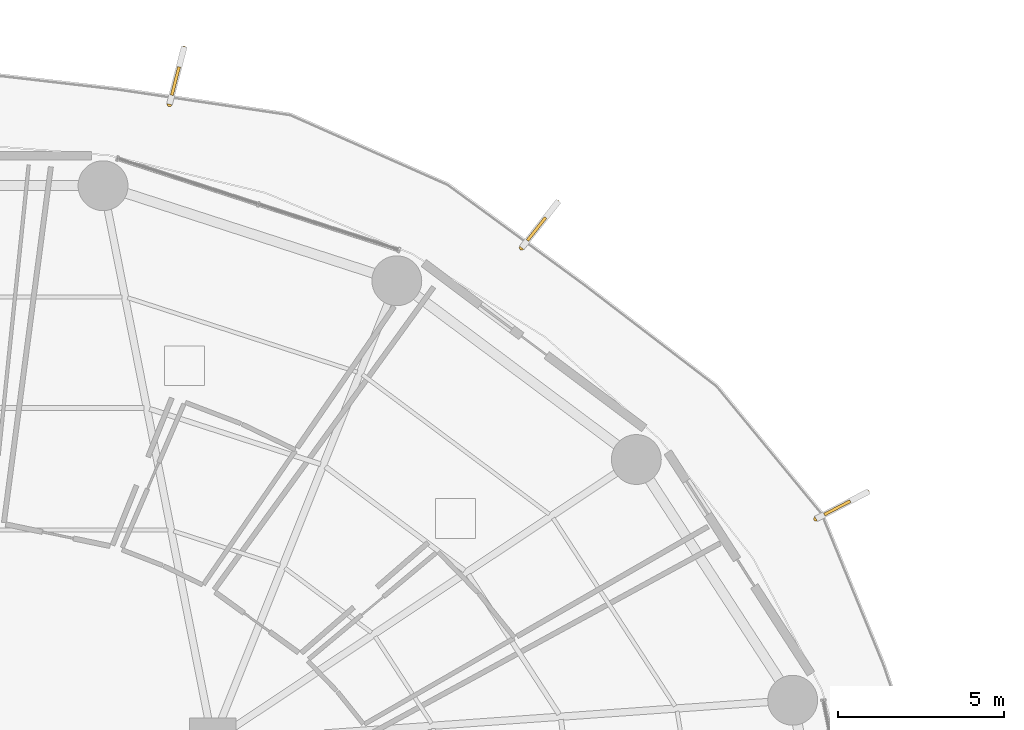
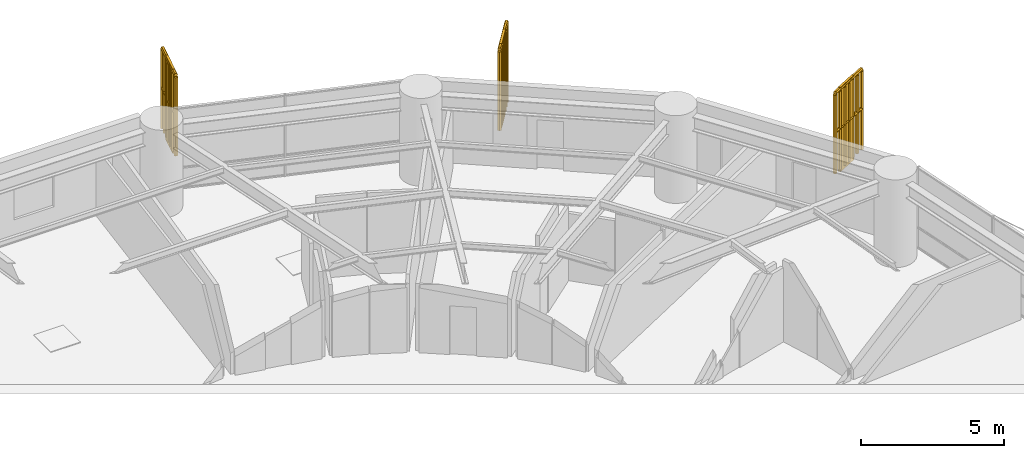
# One storey, part 32 of 32: 3 railings, 3 shading devices.
"""IFC4 building model written with IfcOpenShell, lengths in metres."""

import ifcopenshell
import ifcopenshell.guid

model = None  # the IFC model being written
_history = None  # IfcOwnerHistory: only IFC2X3 demands one
_inside = {}  # id of a spatial element -> (the spatial element, [elements in it])
_under = {}  # id of a project, library or spatial element -> (it, [spatial elements below it])
_declared = {}  # id of a project -> (the project, [libraries it declares])
_typed = {}  # id of a type object -> (the type object, [elements of that type])
_made_of = {}  # id of a material, layer set ... -> (it, [elements and type objects made of it])


def new_model(schema):
    """Start an empty IFC model of exactly this schema.

    Asked for "IFC4X3", IfcOpenShell would pick the latest addendum, in which some entities
    have other attributes; the version numbers below select the first issue.
    IFC2X3 requires an IfcOwnerHistory on every rooted entity: one is made here for all.
    """
    global model, _history
    if schema == "IFC4X3":
        model = ifcopenshell.file(schema_version=(4, 3, 0, 0))
    else:
        model = ifcopenshell.file(schema=schema)
    _inside.clear()
    _under.clear()
    _declared.clear()
    _typed.clear()
    _made_of.clear()
    _history = None
    if model.schema == "IFC2X3":
        org = make("IfcOrganization", Name="unknown")
        user = make(
            "IfcPersonAndOrganization",
            ThePerson=make("IfcPerson", FamilyName="unknown"),
            TheOrganization=org,
        )
        app = make(
            "IfcApplication",
            ApplicationDeveloper=org,
            Version="unknown",
            ApplicationFullName="unknown",
            ApplicationIdentifier="unknown",
        )
        _history = make(
            "IfcOwnerHistory",
            OwningUser=user,
            OwningApplication=app,
            ChangeAction="ADDED",
            CreationDate=0,
        )
    return model


def make(cls, **values):
    """One entity of the class cls with the attributes given. An attribute that is None is left unset."""
    return model.create_entity(
        cls, **{name: value for name, value in values.items() if value is not None}
    )


def rooted(cls, **values):
    """An entity with a GlobalId (a new one), such as an element, a storey or a relation."""
    return make(cls, GlobalId=ifcopenshell.guid.new(), OwnerHistory=_history, **values)


def si_unit(unit_type, name, prefix=None):
    """IfcSIUnit, for example si_unit("LENGTHUNIT", "METRE", prefix="MILLI")."""
    return make("IfcSIUnit", UnitType=unit_type, Prefix=prefix, Name=name)


def assignment(units):
    """IfcUnitAssignment: the units of a project."""
    return None if units is None else make("IfcUnitAssignment", Units=units)


def point(xyz):
    """IfcCartesianPoint."""
    return None if xyz is None else make("IfcCartesianPoint", Coordinates=xyz)


def direction(xyz):
    """IfcDirection."""
    return None if xyz is None else make("IfcDirection", DirectionRatios=xyz)


def frame(location, z_axis=None, x_axis=None):
    """IfcAxis2Placement3D, a coordinate frame: its origin and axes. An axis left out is left unset."""
    return make(
        "IfcAxis2Placement3D",
        Location=point(location),
        Axis=direction(z_axis),
        RefDirection=direction(x_axis),
    )


def frame_2d(location, x_axis=None):
    """IfcAxis2Placement2D, a coordinate frame in the plane: its origin and x axis."""
    return make(
        "IfcAxis2Placement2D", Location=point(location), RefDirection=direction(x_axis)
    )


def origin():
    """The frame at (0, 0, 0) with its axes left unset."""
    return frame((0.0, 0.0, 0.0))


def origin_2d():
    """The frame at (0, 0) in the plane with its x axis left unset."""
    return frame_2d((0.0, 0.0))


def place(relative_to, where):
    """IfcLocalPlacement: puts the frame where relative to a parent placement (None: the world)."""
    return make(
        "IfcLocalPlacement", PlacementRelTo=relative_to, RelativePlacement=where
    )


def context(
    kind, dimensions, precision=None, world=None, true_north=None, identifier=None
):
    """IfcGeometricRepresentationContext, for example the 3D "Model" context."""
    return make(
        "IfcGeometricRepresentationContext",
        ContextIdentifier=identifier,
        ContextType=kind,
        CoordinateSpaceDimension=dimensions,
        Precision=precision,
        WorldCoordinateSystem=world,
        TrueNorth=true_north,
    )


def subcontext(parent, identifier, kind, view, scale=None):
    """IfcGeometricRepresentationSubContext, for example "Body" below "Model"."""
    return make(
        "IfcGeometricRepresentationSubContext",
        ContextIdentifier=identifier,
        ContextType=kind,
        ParentContext=parent,
        TargetScale=scale,
        TargetView=view,
    )


def project(units=None, contexts=None):
    """IfcProject with its units and contexts."""
    return rooted(
        "IfcProject",
        Name="project",
        RepresentationContexts=contexts,
        UnitsInContext=assignment(units),
    )


def spatial(cls, under=None, at=None, **own):
    """A site, building, storey or space (cls), placed at a placement, below another one or the project."""
    s = rooted(cls, ObjectPlacement=at, **own)
    if under is not None:
        _under.setdefault(under.id(), (under, []))[1].append(s)
    return s


def polyline(points):
    """IfcPolyline through the points."""
    return make("IfcPolyline", Points=[point(p) for p in points])


def profile(cls, at=None, kind="AREA", **sizes):
    """A parametric profile (cls). Its sizes go by their IFC names, for example OverallWidth=200.0."""
    return make(cls, ProfileType=kind, Position=at, **sizes)


def rectangle(**sizes):
    """IfcRectangleProfileDef."""
    return profile("IfcRectangleProfileDef", **sizes)


def outline(outer, holes=None, kind="AREA"):
    """IfcArbitraryClosedProfileDef: a profile drawn as a closed curve; with holes, ...WithVoids."""
    if holes is None:
        return make("IfcArbitraryClosedProfileDef", ProfileType=kind, OuterCurve=outer)
    return make(
        "IfcArbitraryProfileDefWithVoids",
        ProfileType=kind,
        OuterCurve=outer,
        InnerCurves=holes,
    )


def extrude(swept, where, along, depth):
    """IfcExtrudedAreaSolid: the profile swept, set in the frame where, extruded along a direction by depth."""
    return make(
        "IfcExtrudedAreaSolid",
        SweptArea=swept,
        Position=where,
        ExtrudedDirection=direction(along),
        Depth=depth,
    )


def shape(context_of_items, identifier, shape_type, items):
    """IfcShapeRepresentation: the items that make up one representation, for example the "Body"."""
    return make(
        "IfcShapeRepresentation",
        ContextOfItems=context_of_items,
        RepresentationIdentifier=identifier,
        RepresentationType=shape_type,
        Items=items,
    )


def source(mapping_origin, context_of_items, identifier, shape_type, items):
    """IfcRepresentationMap: a shape defined once, which mapped items show again and again."""
    return make(
        "IfcRepresentationMap",
        MappingOrigin=mapping_origin,
        MappedRepresentation=shape(context_of_items, identifier, shape_type, items),
    )


def transform(
    local_origin,
    x_axis=None,
    y_axis=None,
    z_axis=None,
    scale=None,
    scale2=None,
    scale3=None,
    uniform=True,
):
    """IfcCartesianTransformationOperator3D, or its non-uniform kind. x_axis, y_axis, z_axis: its Axis1, 2, 3."""
    if uniform:
        return make(
            "IfcCartesianTransformationOperator3D",
            Axis1=direction(x_axis),
            Axis2=direction(y_axis),
            LocalOrigin=point(local_origin),
            Scale=scale,
            Axis3=direction(z_axis),
        )
    return make(
        "IfcCartesianTransformationOperator3DnonUniform",
        Axis1=direction(x_axis),
        Axis2=direction(y_axis),
        LocalOrigin=point(local_origin),
        Scale=scale,
        Axis3=direction(z_axis),
        Scale2=scale2,
        Scale3=scale3,
    )


def mapped(mapping_source, mapping_target):
    """IfcMappedItem: shows the shape of a source again, moved by a transform."""
    return make(
        "IfcMappedItem", MappingSource=mapping_source, MappingTarget=mapping_target
    )


def material(Name=None, Category=None):
    """IfcMaterial."""
    return make("IfcMaterial", Name=Name, Category=Category)


def made_of(thing, what):
    """Note that an element or type object is made of a material, layer set ...; save() writes the relation."""
    if what is not None:
        _made_of.setdefault(what.id(), (what, []))[1].append(thing)
    return thing


def type_object(cls, material=None, **own):
    """A type object (cls), such as IfcWallType, which elements share."""
    return made_of(rooted(cls, **own), material)


def element(
    cls,
    number,
    at=None,
    inside=None,
    cuts=None,
    type_object=None,
    material=None,
    context=None,
    identifier="Body",
    shape_type=None,
    held_by="IfcProductDefinitionShape",
    body=None,
    shapes=None,
    **own,
):
    """One element of the class cls, such as IfcWall. Its Tag is "e" and its number.

    at: its placement. inside: the storey or other place that contains it. cuts: it is an
    opening in that element (IfcRelVoidsElement). A single representation is given by context,
    identifier, shape_type and body (its items); several are given by shapes. held_by: the class
    of the entity that holds the representations. save() writes the other relations.
    """
    e = rooted(cls, Tag="e%d" % number, ObjectPlacement=at, **own)
    if body is not None:
        shapes = [shape(context, identifier, shape_type, body)]
    if shapes is not None:
        e.Representation = make(held_by, Representations=shapes)
    if inside is not None:
        _inside.setdefault(inside.id(), (inside, []))[1].append(e)
    if cuts is not None:
        rooted(
            "IfcRelVoidsElement", RelatingBuildingElement=cuts, RelatedOpeningElement=e
        )
    if type_object is not None:
        _typed.setdefault(type_object.id(), (type_object, []))[1].append(e)
    return made_of(e, material)


def aggregate(whole, parts):
    """IfcRelAggregates: a whole, such as a stair, and the parts it consists of."""
    return rooted("IfcRelAggregates", RelatingObject=whole, RelatedObjects=parts)


def save(model, path):
    """Write the relations noted so far, then the file.

    IfcRelAggregates (storeys below a building ...), IfcRelContainedInSpatialStructure (elements
    in a storey), IfcRelDefinesByType, IfcRelAssociatesMaterial and IfcRelDeclares: one each for
    every whole, place, type object, material and project.
    """
    for whole, parts in _under.values():
        aggregate(whole, parts)
    for where, things in _inside.values():
        rooted(
            "IfcRelContainedInSpatialStructure",
            RelatedElements=things,
            RelatingStructure=where,
        )
    for kind, things in _typed.values():
        rooted("IfcRelDefinesByType", RelatedObjects=things, RelatingType=kind)
    for what, things in _made_of.values():
        rooted("IfcRelAssociatesMaterial", RelatedObjects=things, RelatingMaterial=what)
    for by, libraries in _declared.values():
        rooted("IfcRelDeclares", RelatingContext=by, RelatedDefinitions=libraries)
    model.write(path)


model = new_model("IFC4")

# Units and contexts
model_context = context("Model", 3, precision=1e-05, world=origin(), true_north=direction((0.0, 1.0)))
body_context = subcontext(model_context, "Body", "Model", "MODEL_VIEW")
ifc_project = project(units=[si_unit("LENGTHUNIT", "METRE"), si_unit("AREAUNIT", "SQUARE_METRE"), si_unit("VOLUMEUNIT", "CUBIC_METRE"), si_unit("PLANEANGLEUNIT", "RADIAN"), si_unit("MASSUNIT", "GRAM", prefix="KILO")], contexts=[model_context])

# Site, building, storey
site_placement = place(None, origin())
site = spatial("IfcSite", under=ifc_project, at=site_placement, CompositionType="ELEMENT")
building_placement = place(site_placement, origin())
building = spatial("IfcBuilding", under=site, at=building_placement, Name="Kelanora Arch Commons", CompositionType="ELEMENT")
storey_placement = place(building_placement, frame((0.0, 0.0, 52.5)))
storey = spatial("IfcBuildingStorey", under=building, at=storey_placement, Name="L13", CompositionType="ELEMENT", Elevation=52.5)

# Railings
ifc_material_1 = material(Name="Anodised bronze vertical shading fin rib assembly")
railing_type = type_object("IfcRailingType", Name="RAIL-FIN-BRZ", PredefinedType="BALUSTRADE", material=ifc_material_1)
railing_1_placement = place(storey_placement, frame((100.151611328125, 71.69091796875, -0.02001953125)))
element("IfcRailing", 1, at=railing_1_placement, inside=storey, type_object=railing_type, Name="Sweeping Bronze Vertical Fin Blade L13-00", PredefinedType="BALUSTRADE", context=body_context, shape_type="SweptSolid", body=[
    extrude(outline(polyline([(0.06982421875, 0.0), (0.034912109375, 0.060546875), (-0.034912109375, 0.060546875), (-0.06982421875, 0.0), (-0.034912109375, -0.060546875), (0.034912109375, -0.060546875), (0.06982421875, 0.0)])), frame((0.0, 0.0, 3.419921875), z_axis=(0.885917143084, 0.463843524899, 0.0), x_axis=(-0.463843524899, 0.885917143084, 0.0)), (0.0, 0.0, 1.0), 1.72998046875),
    extrude(outline(polyline([(0.06982421875, 0.0), (0.034912109375, 0.060546875), (-0.034912109375, 0.060546875), (-0.06982421875, 0.0), (-0.034912109375, -0.060546875), (0.034912109375, -0.060546875), (0.06982421875, 0.0)])), frame((0.0, 0.0, 1.7451171875), z_axis=(0.885917143084, 0.463843524899, 0.0), x_axis=(-0.463843524899, 0.885917143084, 0.0)), (0.0, 0.0, 1.0), 1.72998046875),
    extrude(outline(polyline([(0.080078125, 0.0), (0.0400390625, 0.0693359375), (-0.0400390625, 0.0693359375), (-0.080078125, 0.0), (-0.0400390625, -0.0693359375), (0.0400390625, -0.0693359375), (0.080078125, 0.0)])), origin(), (0.0, 0.0, 1.0), 3.35009765625),
    extrude(outline(polyline([(0.080078125, 0.0), (0.0400390625, 0.0693359375), (-0.0400390625, 0.0693359375), (-0.080078125, 0.0), (-0.0400390625, -0.0693359375), (0.0400390625, -0.0693359375), (0.080078125, 0.0)])), frame((0.25537109375, 0.1337890625, 0.0)), (0.0, 0.0, 1.0), 3.35009765625),
    extrude(outline(polyline([(0.080078125, 0.0), (0.0400390625, 0.0693359375), (-0.0400390625, 0.0693359375), (-0.080078125, 0.0), (-0.0400390625, -0.0693359375), (0.0400390625, -0.0693359375), (0.080078125, 0.0)])), frame((0.510986328125, 0.267578125, 0.0)), (0.0, 0.0, 1.0), 3.35009765625),
    extrude(outline(polyline([(0.080078125, 0.0), (0.0400390625, 0.0693359375), (-0.0400390625, 0.0693359375), (-0.080078125, 0.0), (-0.0400390625, -0.0693359375), (0.0400390625, -0.0693359375), (0.080078125, 0.0)])), frame((0.766357421875, 0.4013671875, 0.0)), (0.0, 0.0, 1.0), 3.35009765625),
    extrude(outline(polyline([(0.080078125, 0.0), (0.0400390625, 0.0693359375), (-0.0400390625, 0.0693359375), (-0.080078125, 0.0), (-0.0400390625, -0.0693359375), (0.0400390625, -0.0693359375), (0.080078125, 0.0)])), frame((1.021728515625, 0.534912109375, 0.0)), (0.0, 0.0, 1.0), 3.35009765625),
    extrude(outline(polyline([(0.080078125, 0.0), (0.0400390625, 0.0693359375), (-0.0400390625, 0.0693359375), (-0.080078125, 0.0), (-0.0400390625, -0.0693359375), (0.0400390625, -0.0693359375), (0.080078125, 0.0)])), frame((1.27734375, 0.668701171875, 0.0)), (0.0, 0.0, 1.0), 3.35009765625),
    extrude(outline(polyline([(0.080078125, 0.0), (0.0400390625, 0.0693359375), (-0.0400390625, 0.0693359375), (-0.080078125, 0.0), (-0.0400390625, -0.0693359375), (0.0400390625, -0.0693359375), (0.080078125, 0.0)])), frame((1.53271484375, 0.802490234375, 0.0)), (0.0, 0.0, 1.0), 3.35009765625),
])
railing_2_placement = place(storey_placement, frame((91.295654296875, 79.847412109375, -0.02001953125)))
element("IfcRailing", 2, at=railing_2_placement, inside=storey, type_object=railing_type, Name="Sweeping Bronze Vertical Fin Blade L13-01", PredefinedType="BALUSTRADE", context=body_context, shape_type="SweptSolid", body=[
    extrude(outline(polyline([(0.06982421875, 0.0), (0.034912109375, 0.060546875), (-0.034912109375, 0.060546875), (-0.06982421875, 0.0), (-0.034912109375, -0.060546875), (0.034912109375, -0.060546875), (0.06982421875, 0.0)])), frame((0.0, 0.0, 3.419921875), z_axis=(0.620659567253, 0.784080162724, 0.0), x_axis=(-0.784080162724, 0.620659567253, 0.0)), (0.0, 0.0, 1.0), 1.72998046875),
    extrude(outline(polyline([(0.06982421875, 0.0), (0.034912109375, 0.060546875), (-0.034912109375, 0.060546875), (-0.06982421875, 0.0), (-0.034912109375, -0.060546875), (0.034912109375, -0.060546875), (0.06982421875, 0.0)])), frame((0.0, 0.0, 1.7451171875), z_axis=(0.620659567253, 0.784080162724, 0.0), x_axis=(-0.784080162724, 0.620659567253, 0.0)), (0.0, 0.0, 1.0), 1.72998046875),
    extrude(outline(polyline([(0.080078125, 0.0), (0.0400390625, 0.0693359375), (-0.0400390625, 0.0693359375), (-0.080078125, 0.0), (-0.0400390625, -0.0693359375), (0.0400390625, -0.0693359375), (0.080078125, 0.0)])), origin(), (0.0, 0.0, 1.0), 3.35009765625),
    extrude(outline(polyline([(0.080078125, 0.0), (0.0400390625, 0.0693359375), (-0.0400390625, 0.0693359375), (-0.080078125, 0.0), (-0.0400390625, -0.0693359375), (0.0400390625, -0.0693359375), (0.080078125, 0.0)])), frame((0.178955078125, 0.22607421875, 0.0)), (0.0, 0.0, 1.0), 3.35009765625),
    extrude(outline(polyline([(0.080078125, 0.0), (0.0400390625, 0.0693359375), (-0.0400390625, 0.0693359375), (-0.080078125, 0.0), (-0.0400390625, -0.0693359375), (0.0400390625, -0.0693359375), (0.080078125, 0.0)])), frame((0.35791015625, 0.4521484375, 0.0)), (0.0, 0.0, 1.0), 3.35009765625),
    extrude(outline(polyline([(0.080078125, 0.0), (0.0400390625, 0.0693359375), (-0.0400390625, 0.0693359375), (-0.080078125, 0.0), (-0.0400390625, -0.0693359375), (0.0400390625, -0.0693359375), (0.080078125, 0.0)])), frame((0.536865234375, 0.67822265625, 0.0)), (0.0, 0.0, 1.0), 3.35009765625),
    extrude(outline(polyline([(0.080078125, 0.0), (0.0400390625, 0.0693359375), (-0.0400390625, 0.0693359375), (-0.080078125, 0.0), (-0.0400390625, -0.0693359375), (0.0400390625, -0.0693359375), (0.080078125, 0.0)])), frame((0.7158203125, 0.904296875, 0.0)), (0.0, 0.0, 1.0), 3.35009765625),
    extrude(outline(polyline([(0.080078125, 0.0), (0.0400390625, 0.0693359375), (-0.0400390625, 0.0693359375), (-0.080078125, 0.0), (-0.0400390625, -0.0693359375), (0.0400390625, -0.0693359375), (0.080078125, 0.0)])), frame((0.894775390625, 1.13037109375, 0.0)), (0.0, 0.0, 1.0), 3.35009765625),
    extrude(outline(polyline([(0.080078125, 0.0), (0.0400390625, 0.0693359375), (-0.0400390625, 0.0693359375), (-0.080078125, 0.0), (-0.0400390625, -0.0693359375), (0.0400390625, -0.0693359375), (0.080078125, 0.0)])), frame((1.07373046875, 1.3564453125, 0.0)), (0.0, 0.0, 1.0), 3.35009765625),
])
railing_3_placement = place(storey_placement, frame((80.701904296875, 84.165283203125, -0.02001953125)))
element("IfcRailing", 3, at=railing_3_placement, inside=storey, type_object=railing_type, Name="Sweeping Bronze Vertical Fin Blade L13-02", PredefinedType="BALUSTRADE", context=body_context, shape_type="SweptSolid", body=[
    extrude(outline(polyline([(0.06982421875, 0.0), (0.034912109375, 0.060546875), (-0.034912109375, 0.060546875), (-0.06982421875, 0.0), (-0.034912109375, -0.060546875), (0.034912109375, -0.060546875), (0.06982421875, 0.0)])), frame((0.0, 0.0, 3.419921875), z_axis=(0.248242926831, 0.968697811125, 0.0), x_axis=(-0.968697811125, 0.248242926831, 0.0)), (0.0, 0.0, 1.0), 1.72998046875),
    extrude(outline(polyline([(0.06982421875, 0.0), (0.034912109375, 0.060546875), (-0.034912109375, 0.060546875), (-0.06982421875, 0.0), (-0.034912109375, -0.060546875), (0.034912109375, -0.060546875), (0.06982421875, 0.0)])), frame((0.0, 0.0, 1.7451171875), z_axis=(0.248242926831, 0.968697811125, 0.0), x_axis=(-0.968697811125, 0.248242926831, 0.0)), (0.0, 0.0, 1.0), 1.72998046875),
    extrude(outline(polyline([(0.080078125, 0.0), (0.0400390625, 0.0693359375), (-0.0400390625, 0.0693359375), (-0.080078125, 0.0), (-0.0400390625, -0.0693359375), (0.0400390625, -0.0693359375), (0.080078125, 0.0)])), origin(), (0.0, 0.0, 1.0), 3.35009765625),
    extrude(outline(polyline([(0.080078125, 0.0), (0.0400390625, 0.0693359375), (-0.0400390625, 0.0693359375), (-0.080078125, 0.0), (-0.0400390625, -0.0693359375), (0.0400390625, -0.0693359375), (0.080078125, 0.0)])), frame((0.071533203125, 0.279296875, 0.0)), (0.0, 0.0, 1.0), 3.35009765625),
    extrude(outline(polyline([(0.080078125, 0.0), (0.0400390625, 0.0693359375), (-0.0400390625, 0.0693359375), (-0.080078125, 0.0), (-0.0400390625, -0.0693359375), (0.0400390625, -0.0693359375), (0.080078125, 0.0)])), frame((0.14306640625, 0.55859375, 0.0)), (0.0, 0.0, 1.0), 3.35009765625),
    extrude(outline(polyline([(0.080078125, 0.0), (0.0400390625, 0.0693359375), (-0.0400390625, 0.0693359375), (-0.080078125, 0.0), (-0.0400390625, -0.0693359375), (0.0400390625, -0.0693359375), (0.080078125, 0.0)])), frame((0.21484375, 0.837890625, 0.0)), (0.0, 0.0, 1.0), 3.35009765625),
    extrude(outline(polyline([(0.080078125, 0.0), (0.0400390625, 0.0693359375), (-0.0400390625, 0.0693359375), (-0.080078125, 0.0), (-0.0400390625, -0.0693359375), (0.0400390625, -0.0693359375), (0.080078125, 0.0)])), frame((0.286376953125, 1.1171875, 0.0)), (0.0, 0.0, 1.0), 3.35009765625),
    extrude(outline(polyline([(0.080078125, 0.0), (0.0400390625, 0.0693359375), (-0.0400390625, 0.0693359375), (-0.080078125, 0.0), (-0.0400390625, -0.0693359375), (0.0400390625, -0.0693359375), (0.080078125, 0.0)])), frame((0.35791015625, 1.396484375, 0.0)), (0.0, 0.0, 1.0), 3.35009765625),
    extrude(outline(polyline([(0.080078125, 0.0), (0.0400390625, 0.0693359375), (-0.0400390625, 0.0693359375), (-0.080078125, 0.0), (-0.0400390625, -0.0693359375), (0.0400390625, -0.0693359375), (0.080078125, 0.0)])), frame((0.429443359375, 1.67578125, 0.0)), (0.0, 0.0, 1.0), 3.35009765625),
])

# Shading devices
ifc_material_2 = material(Name="Terracotta ceramic-clad extruded aluminium fin", Category="masonry")
shading_device_type = type_object("IfcShadingDeviceType", Name="SHD-FIN-FLARE", PredefinedType="USERDEFINED", material=ifc_material_2)
shared_shape = source(origin(), body_context, "Body", "SweptSolid", [
    extrude(rectangle(XDim=0.8798828125, YDim=0.090087890625, at=origin_2d()), origin(), (0.0, 0.0, 1.0), 3.610107421875),
])
for number, where, z_axis, x_axis, name in (
    (4, (100.78955078125, 72.02490234375, -0.14013671875), (0.0, 0.0, 1.0), (0.885960876527, 0.4637599867, 0.0), "Sweeping Terracotta Fin L13-00"),
    (5, (91.74267578125, 80.412109375, -0.14013671875), (0.0, 0.0, 1.0), (0.620737354217, 0.784018582101, 0.0), "Sweeping Terracotta Fin L13-01"),
    (6, (80.880615234375, 84.86279296875, -0.14013671875), (0.0, 0.0, 1.0), (0.248182704141, 0.968713242072, 0.0), "Sweeping Terracotta Fin L13-02"),
):
    element("IfcShadingDevice", number, at=place(storey_placement, frame(where, z_axis=z_axis, x_axis=x_axis)), inside=storey, type_object=shading_device_type, Name=name, ObjectType="FIN", PredefinedType="USERDEFINED", context=body_context, shape_type="MappedRepresentation", body=[
        mapped(shared_shape, transform((0.0, 0.0, 0.0), scale=1.0)),
    ])

save(model, "model.ifc")
